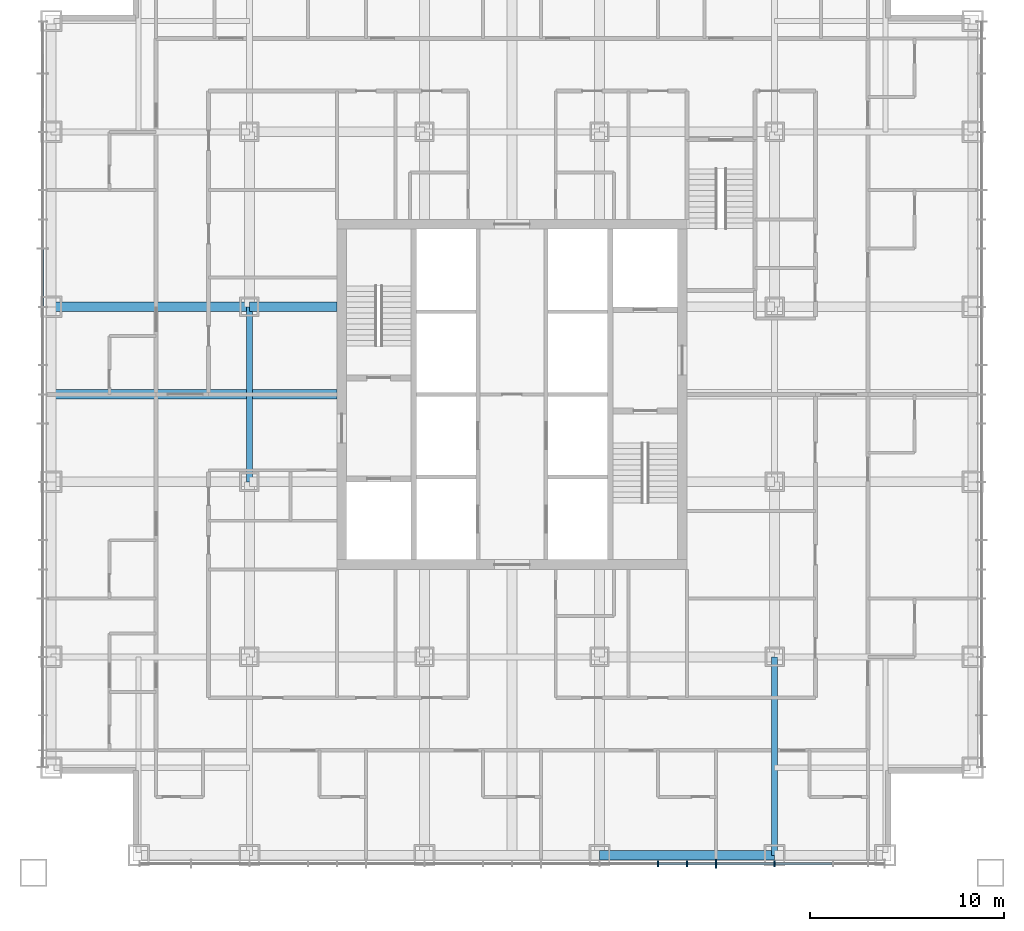
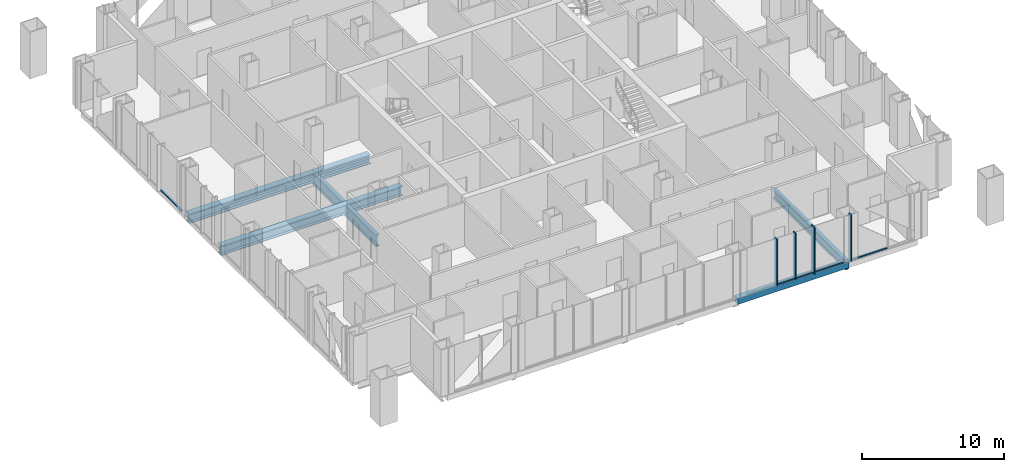
# One storey, part 3 of 13: 9 members, 6 beams, 2 elements without a shape of their own.
"""IFC4 building model written with IfcOpenShell, lengths in metres."""

from ifc_helpers import new_model, si_unit, direction, frame, origin, origin_2d, place, context, subcontext, project, spatial, rectangle, hollow_rectangle, i_section, extrude, material, layer, layer_set, material_profile, profile_set, type_object, element, aggregate, save


model = new_model("IFC4")

# Units and contexts
model_context = context("Model", 3, precision=1e-05, world=origin(), true_north=direction((0.0, 1.0)))
body_context = subcontext(model_context, "Body", "Model", "MODEL_VIEW")
ifc_project = project(units=[si_unit("LENGTHUNIT", "METRE"), si_unit("AREAUNIT", "SQUARE_METRE"), si_unit("VOLUMEUNIT", "CUBIC_METRE"), si_unit("PLANEANGLEUNIT", "RADIAN"), si_unit("MASSUNIT", "GRAM", prefix="KILO")], contexts=[model_context])

# Site, building, storey
site_placement = place(None, origin())
site = spatial("IfcSite", under=ifc_project, at=site_placement, CompositionType="ELEMENT")
building_placement = place(site_placement, origin())
building = spatial("IfcBuilding", under=site, at=building_placement, Name="Malebo Sky Hospital", CompositionType="ELEMENT")
storey_placement = place(building_placement, frame((0.0, 0.0, 104.0)))
storey = spatial("IfcBuildingStorey", under=building, at=storey_placement, Name="L24", CompositionType="ELEMENT", Elevation=104.0)

# Curtain wall, member
ifc_material_1 = material(Name="Anodised aluminium, natural silver", Category="aluminium")
ifc_layer_1 = layer(ifc_material_1, 0.25)
ifc_layer_set_1 = layer_set([ifc_layer_1], Name="WARD CURTAIN WALL EAST AND WEST")
curtain_wall_type_1 = type_object("IfcCurtainWallType", Name="WARD CURTAIN WALL EAST AND WEST", PredefinedType="NOTDEFINED", material=ifc_layer_set_1)
curtain_wall_1_placement = place(storey_placement, origin())
curtain_wall_1 = element("IfcCurtainWall", 1, at=curtain_wall_1_placement, inside=storey, type_object=curtain_wall_type_1, Name="EW curtain wall W", PredefinedType="NOTDEFINED")
ifc_material_profile_1 = material_profile(ifc_material_1, rectangle(XDim=0.14990234375, YDim=0.10009765625, at=origin_2d()), Name="ALUMINIUM TRANSOM 150x100")
ifc_profile_set_1 = profile_set([ifc_material_profile_1], Name="Anodised aluminium, natural silver")
member_type_1 = type_object("IfcMemberType", Name="ALUMINIUM TRANSOM 150x100", PredefinedType="USERDEFINED", material=ifc_profile_set_1)
member_1_placement = place(storey_placement, frame((35.864990234375, 66.53759765625, 0.050048828125), z_axis=(0.0, 1.0, 0.0), x_axis=(-1.0, 0.0, 0.0)))
member_1 = element("IfcMember", 2, at=member_1_placement, type_object=member_type_1, Name="Transom 12", ObjectType="TRANSOM", PredefinedType="USERDEFINED", context=body_context, shape_type="SweptSolid", body=[
    extrude(rectangle(XDim=0.14990234375, YDim=0.10009765625, at=origin_2d()), origin(), (0.0, 0.0, 1.0), 2.9248046875),
])
aggregate(curtain_wall_1, [member_1])

# Curtain wall, members
ifc_layer_2 = layer(ifc_material_1, 0.25)
ifc_layer_set_2 = layer_set([ifc_layer_2], Name="WARD CURTAIN WALL NORTH AND SOUTH")
curtain_wall_type_2 = type_object("IfcCurtainWallType", Name="WARD CURTAIN WALL NORTH AND SOUTH", PredefinedType="NOTDEFINED", material=ifc_layer_set_2)
curtain_wall_2_placement = place(storey_placement, origin())
curtain_wall_2 = element("IfcCurtainWall", 3, at=curtain_wall_2_placement, inside=storey, type_object=curtain_wall_type_2, Name="NS curtain wall S", PredefinedType="NOTDEFINED")
member_2_placement = place(storey_placement, frame((76.46240234375, 37.864990234375, 0.050048828125), z_axis=(-1.0, 0.0, 0.0), x_axis=(0.0, -1.0, 0.0)))
member_2 = element("IfcMember", 4, at=member_2_placement, type_object=member_type_1, Name="Transom 3", ObjectType="TRANSOM", PredefinedType="USERDEFINED", context=body_context, shape_type="SweptSolid", body=[
    extrude(rectangle(XDim=0.14990234375, YDim=0.10009765625, at=origin_2d()), origin(), (0.0, 0.0, 1.0), 2.9248046875),
])
member_3_placement = place(storey_placement, frame((73.46240234375, 37.864990234375, 0.050048828125), z_axis=(-1.0, 0.0, 0.0), x_axis=(0.0, -1.0, 0.0)))
member_3 = element("IfcMember", 5, at=member_3_placement, type_object=member_type_1, Name="Transom 4", ObjectType="TRANSOM", PredefinedType="USERDEFINED", context=body_context, shape_type="SweptSolid", body=[
    extrude(rectangle(XDim=0.14990234375, YDim=0.10009765625, at=origin_2d()), origin(), (0.0, 0.0, 1.0), 2.9248046875),
])
member_4_placement = place(storey_placement, frame((70.46240234375, 37.864990234375, 0.050048828125), z_axis=(-1.0, 0.0, 0.0), x_axis=(0.0, -1.0, 0.0)))
member_4 = element("IfcMember", 6, at=member_4_placement, type_object=member_type_1, Name="Transom 5", ObjectType="TRANSOM", PredefinedType="USERDEFINED", context=body_context, shape_type="SweptSolid", body=[
    extrude(rectangle(XDim=0.14990234375, YDim=0.10009765625, at=origin_2d()), origin(), (0.0, 0.0, 1.0), 1.4248046875),
])
member_5_placement = place(storey_placement, frame((68.96240234375, 37.864990234375, 0.050048828125), z_axis=(-1.0, 0.0, 0.0), x_axis=(0.0, -1.0, 0.0)))
member_5 = element("IfcMember", 7, at=member_5_placement, type_object=member_type_1, Name="Transom 6", ObjectType="TRANSOM", PredefinedType="USERDEFINED", context=body_context, shape_type="SweptSolid", body=[
    extrude(rectangle(XDim=0.14990234375, YDim=0.10009765625, at=origin_2d()), origin(), (0.0, 0.0, 1.0), 1.4248046875),
])
ifc_material_profile_2 = material_profile(ifc_material_1, rectangle(XDim=0.074951171875, YDim=0.300048828125, at=origin_2d()), Name="CW1 ALUMINIUM FIN MULLION 75x300")
ifc_profile_set_2 = profile_set([ifc_material_profile_2], Name="Anodised aluminium, natural silver")
member_type_2 = type_object("IfcMemberType", Name="CW1 ALUMINIUM FIN MULLION 75x300", PredefinedType="MULLION", material=ifc_profile_set_2)
member_6_placement = place(storey_placement, frame((73.5, 37.864990234375, 0.0), z_axis=(0.0, 0.0, 1.0), x_axis=(-1.0, 0.0, 0.0)))
member_6 = element("IfcMember", 8, at=member_6_placement, type_object=member_type_2, Name="Fin mullion 4", PredefinedType="MULLION", context=body_context, shape_type="SweptSolid", body=[
    extrude(rectangle(XDim=0.074951171875, YDim=0.300048828125, at=origin_2d()), origin(), (0.0, 0.0, 1.0), 4.0),
])
member_7_placement = place(storey_placement, frame((69.0, 37.864990234375, 0.0), z_axis=(0.0, 0.0, 1.0), x_axis=(-1.0, 0.0, 0.0)))
member_7 = element("IfcMember", 9, at=member_7_placement, type_object=member_type_2, Name="Fin mullion 6", PredefinedType="MULLION", context=body_context, shape_type="SweptSolid", body=[
    extrude(rectangle(XDim=0.074951171875, YDim=0.300048828125, at=origin_2d()), origin(), (0.0, 0.0, 1.0), 4.0),
])
member_8_placement = place(storey_placement, frame((67.5, 37.864990234375, 0.0), z_axis=(0.0, 0.0, 1.0), x_axis=(-1.0, 0.0, 0.0)))
member_8 = element("IfcMember", 10, at=member_8_placement, type_object=member_type_2, Name="Fin mullion 7", PredefinedType="MULLION", context=body_context, shape_type="SweptSolid", body=[
    extrude(rectangle(XDim=0.074951171875, YDim=0.300048828125, at=origin_2d()), origin(), (0.0, 0.0, 1.0), 4.0),
])
ifc_material_profile_3 = material_profile(ifc_material_1, rectangle(XDim=0.074951171875, YDim=0.449951171875, at=origin_2d()), Name="CW1 ALUMINIUM FIN MULLION 75x450")
ifc_profile_set_3 = profile_set([ifc_material_profile_3], Name="Anodised aluminium, natural silver")
member_type_3 = type_object("IfcMemberType", Name="CW1 ALUMINIUM FIN MULLION 75x450", PredefinedType="MULLION", material=ifc_profile_set_3)
member_9_placement = place(storey_placement, frame((70.5, 37.864990234375, 0.0), z_axis=(0.0, 0.0, 1.0), x_axis=(-1.0, 0.0, 0.0)))
member_9 = element("IfcMember", 11, at=member_9_placement, type_object=member_type_3, Name="Fin mullion 5", PredefinedType="MULLION", context=body_context, shape_type="SweptSolid", body=[
    extrude(rectangle(XDim=0.074951171875, YDim=0.449951171875, at=origin_2d()), origin(), (0.0, 0.0, 1.0), 4.0),
])
aggregate(curtain_wall_2, [member_6, member_9, member_7, member_8, member_2, member_3, member_4, member_5])

# Beams
ifc_material_2 = material(Name="Steel S460", Category="steel")
ifc_material_profile_4 = material_profile(ifc_material_2, hollow_rectangle(XDim=0.5, YDim=0.5, WallThickness=0.030029296875, at=origin_2d()), Name="BOX 500x500x30")
ifc_profile_set_4 = profile_set([ifc_material_profile_4], Name="Steel S460")
beam_type_1 = type_object("IfcBeamType", Name="EDGE BEAM BOX 500x500x30", PredefinedType="BEAM", material=ifc_profile_set_4)
beam_1_placement = place(storey_placement, frame((64.5, 38.300048828125, -0.5), z_axis=(1.0, 0.0, 0.0), x_axis=(0.0, 1.0, 0.0)))
element("IfcBeam", 12, at=beam_1_placement, inside=storey, type_object=beam_type_1, Name="Beam 037 L24", PredefinedType="BEAM", context=body_context, shape_type="SweptSolid", body=[
    extrude(hollow_rectangle(XDim=0.5, YDim=0.5, WallThickness=0.030029296875, at=origin_2d()), origin(), (0.0, 0.0, 1.0), 9.0),
])
ifc_material_3 = material(Name="Steel S355", Category="steel")
ifc_material_profile_5 = material_profile(ifc_material_3, i_section(OverallWidth=0.5, OverallDepth=0.800048828125, WebThickness=0.030029296875, FlangeThickness=0.050048828125, at=origin_2d()), Name="PG 800x500x30x50")
ifc_profile_set_5 = profile_set([ifc_material_profile_5], Name="Steel S355")
beam_type_2 = type_object("IfcBeamType", Name="FLOOR BEAM PG 800x500x30x50", PredefinedType="BEAM", material=ifc_profile_set_5)
beam_2_placement = place(storey_placement, frame((36.300048828125, 62.0, -0.64990234375), z_axis=(1.0, 0.0, 0.0), x_axis=(0.0, 1.0, 0.0)))
element("IfcBeam", 13, at=beam_2_placement, inside=storey, type_object=beam_type_2, Name="Beam 050 L24", PredefinedType="BEAM", context=body_context, shape_type="SweptSolid", body=[
    extrude(i_section(OverallWidth=0.5, OverallDepth=0.800048828125, WebThickness=0.030029296875, FlangeThickness=0.050048828125, at=origin_2d()), origin(), (0.0, 0.0, 1.0), 14.699951171875),
])
beam_3_placement = place(storey_placement, frame((36.300048828125, 66.5, -0.64990234375), z_axis=(1.0, 0.0, 0.0), x_axis=(0.0, 1.0, 0.0)))
element("IfcBeam", 14, at=beam_3_placement, inside=storey, type_object=beam_type_2, Name="Beam 052 L24", PredefinedType="BEAM", context=body_context, shape_type="SweptSolid", body=[
    extrude(i_section(OverallWidth=0.5, OverallDepth=0.800048828125, WebThickness=0.030029296875, FlangeThickness=0.050048828125, at=origin_2d()), origin(), (0.0, 0.0, 1.0), 10.199951171875),
])
beam_4_placement = place(storey_placement, frame((46.5, 66.5, -0.64990234375), z_axis=(1.0, 0.0, 0.0), x_axis=(0.0, 1.0, 0.0)))
element("IfcBeam", 15, at=beam_4_placement, inside=storey, type_object=beam_type_2, Name="Beam 053 L24", PredefinedType="BEAM", context=body_context, shape_type="SweptSolid", body=[
    extrude(i_section(OverallWidth=0.5, OverallDepth=0.800048828125, WebThickness=0.030029296875, FlangeThickness=0.050048828125, at=origin_2d()), origin(), (0.0, 0.0, 1.0), 4.5),
])
ifc_material_profile_6 = material_profile(ifc_material_3, i_section(OverallWidth=0.300048828125, OverallDepth=0.800048828125, WebThickness=0.017578125, FlangeThickness=0.032958984375, FilletRadius=0.030029296875, at=origin_2d()), Name="HEB 800")
ifc_profile_set_6 = profile_set([ifc_material_profile_6], Name="Steel S355")
beam_type_3 = type_object("IfcBeamType", Name="FLOOR GIRDER HEB 800", PredefinedType="BEAM", material=ifc_profile_set_6)
beam_5_placement = place(storey_placement, frame((73.5, 38.300048828125, -0.64990234375), z_axis=(0.0, 1.0, 0.0), x_axis=(-1.0, 0.0, 0.0)))
element("IfcBeam", 16, at=beam_5_placement, inside=storey, type_object=beam_type_3, Name="Beam 022 L24", PredefinedType="BEAM", context=body_context, shape_type="SweptSolid", body=[
    extrude(i_section(OverallWidth=0.300048828125, OverallDepth=0.800048828125, WebThickness=0.017578125, FlangeThickness=0.032958984375, FilletRadius=0.030029296875, at=origin_2d()), origin(), (0.0, 0.0, 1.0), 10.199951171875),
])
ifc_material_profile_7 = material_profile(ifc_material_3, i_section(OverallWidth=0.300048828125, OverallDepth=1.0, WebThickness=0.01904296875, FlangeThickness=0.035888671875, FilletRadius=0.030029296875, at=origin_2d()), Name="HEB 1000")
ifc_profile_set_7 = profile_set([ifc_material_profile_7], Name="Steel S355")
beam_type_4 = type_object("IfcBeamType", Name="RING GIRDER HEB 1000", PredefinedType="BEAM", material=ifc_profile_set_7)
beam_6_placement = place(storey_placement, frame((46.5, 57.5, -0.75), z_axis=(0.0, 1.0, 0.0), x_axis=(-1.0, 0.0, 0.0)))
element("IfcBeam", 17, at=beam_6_placement, inside=storey, type_object=beam_type_4, Name="Beam 009 L24", PredefinedType="BEAM", context=body_context, shape_type="SweptSolid", body=[
    extrude(i_section(OverallWidth=0.300048828125, OverallDepth=1.0, WebThickness=0.01904296875, FlangeThickness=0.035888671875, FilletRadius=0.030029296875, at=origin_2d()), origin(), (0.0, 0.0, 1.0), 9.0),
])

save(model, "model.ifc")
